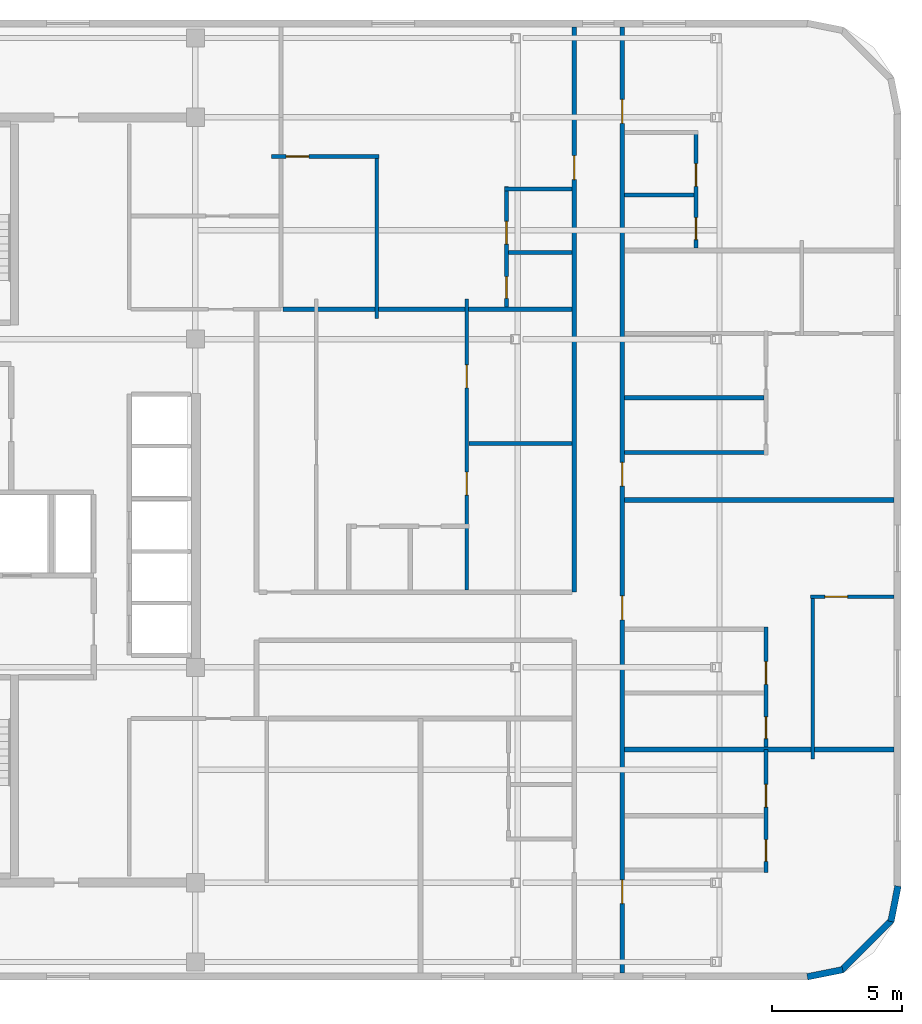
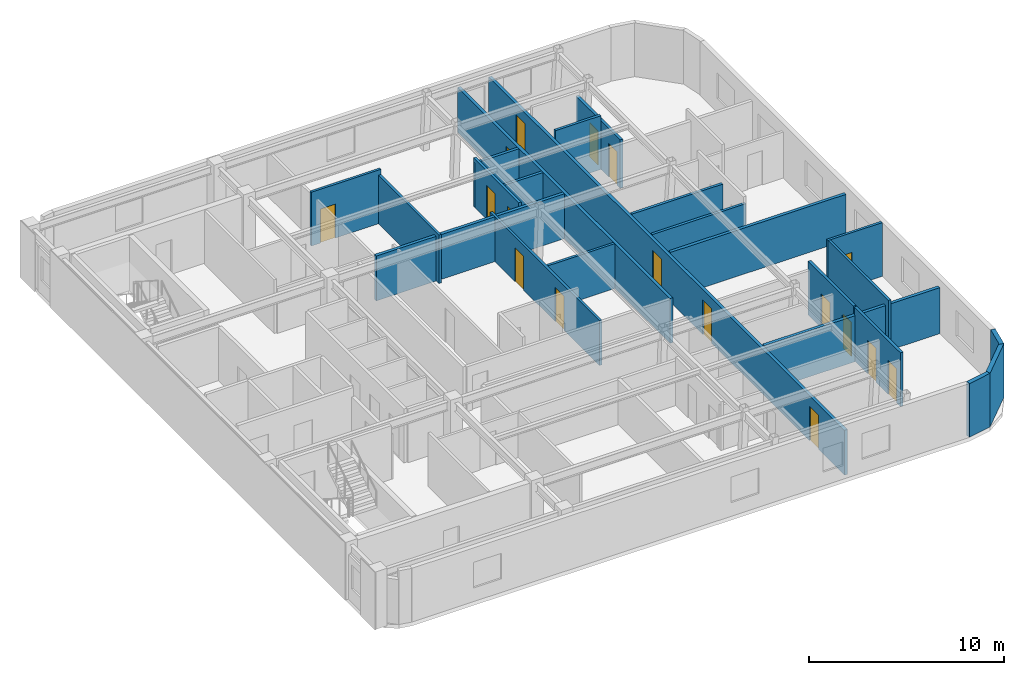
# One storey, part 4 of 7: 23 walls, 17 doors, 17 openings.
"""IFC4 building model written with IfcOpenShell, lengths in metres."""

from ifc_helpers import new_model, si_unit, direction, frame, frame_2d, origin, place, context, subcontext, project, spatial, rectangle, extrude, material, layer, layer_set, type_object, element, fill, save


model = new_model("IFC4")

# Units and contexts
model_context = context("Model", 3, precision=1e-05, world=origin(), true_north=direction((0.0, 1.0)))
body_context = subcontext(model_context, "Body", "Model", "MODEL_VIEW")
ifc_project = project(units=[si_unit("LENGTHUNIT", "METRE"), si_unit("AREAUNIT", "SQUARE_METRE"), si_unit("VOLUMEUNIT", "CUBIC_METRE"), si_unit("PLANEANGLEUNIT", "RADIAN"), si_unit("MASSUNIT", "GRAM", prefix="KILO")], contexts=[model_context])

# Site, building, storey
site_placement = place(None, origin())
site = spatial("IfcSite", under=ifc_project, at=site_placement, CompositionType="ELEMENT")
building_placement = place(site_placement, origin())
building = spatial("IfcBuilding", under=site, at=building_placement, Name="Ochreholt Gables", CompositionType="ELEMENT")
storey_placement = place(building_placement, frame((0.0, 0.0, 216.60009765625)))
storey = spatial("IfcBuildingStorey", under=building, at=storey_placement, Name="L56", CompositionType="ELEMENT", Elevation=216.60009765625)

# Walls
ifc_material_1 = material(Name="Precast concrete 40 MPa", Category="concrete")
ifc_layer_1 = layer(ifc_material_1, 0.25, Name="Precast concrete 40 MPa")
ifc_layer_set_1 = layer_set([ifc_layer_1], Name="Precast concrete 40 MPa")
wall_type_1 = type_object("IfcWallType", Name="WALL-EXT-CNR", PredefinedType="SOLIDWALL", material=ifc_layer_set_1)
wall_1_placement = place(storey_placement, frame((58.783447265625, 5.624267578125, 0.0), z_axis=(0.0, 0.0, 1.0), x_axis=(0.980809899341, 0.19496651342, 0.0)))
element("IfcWall", 1, at=wall_1_placement, inside=storey, type_object=wall_type_1, Name="L56 Rounded Corner Wall SE-1", PredefinedType="SOLIDWALL", context=body_context, shape_type="SweptSolid", body=[
    extrude(rectangle(XDim=1.388671875, YDim=0.25, at=frame_2d((0.6943359375, 0.0))), origin(), (0.0, 0.0, 1.0), 3.35986328125),
])
wall_2_placement = place(storey_placement, frame((60.094970703125, 5.867919921875, 0.0), z_axis=(0.0, 0.0, 1.0), x_axis=(0.707106781187, 0.707106781187, 0.0)))
element("IfcWall", 2, at=wall_2_placement, inside=storey, type_object=wall_type_1, Name="L56 Rounded Corner Wall SE-2", PredefinedType="SOLIDWALL", context=body_context, shape_type="SweptSolid", body=[
    extrude(rectangle(XDim=2.7392578125, YDim=0.25, at=frame_2d((1.36962890625, 0.0))), origin(), (0.0, 0.0, 1.0), 3.35986328125),
])
wall_3_placement = place(storey_placement, frame((62.0048828125, 7.75439453125, 0.0), z_axis=(0.0, 0.0, 1.0), x_axis=(0.195135625965, 0.9807762678, 0.0)))
element("IfcWall", 3, at=wall_3_placement, inside=storey, type_object=wall_type_1, Name="L56 Rounded Corner Wall SE-3", PredefinedType="SOLIDWALL", context=body_context, shape_type="SweptSolid", body=[
    extrude(rectangle(XDim=1.388671875, YDim=0.25, at=frame_2d((0.6943359375, 0.0))), origin(), (0.0, 0.0, 1.0), 3.35986328125),
])

# Wall, opening, door
ifc_material_2 = material(Name="Fire-Rated Gypsum Acoustic Partition", Category="gypsum")
ifc_layer_2 = layer(ifc_material_2, 0.179931640625, Name="Fire-Rated Gypsum Acoustic Partition")
ifc_layer_set_2 = layer_set([ifc_layer_2], Name="Fire-Rated Gypsum Acoustic Partition")
wall_type_2 = type_object("IfcWallType", Name="WALL-INT-CR180", PredefinedType="STANDARD", material=ifc_layer_set_2)
wall_4_placement = place(storey_placement, frame((49.800048828125, 20.449951171875, 0.0), z_axis=(0.0, 0.0, 1.0), x_axis=(0.0, 1.0, 0.0)))
wall_4 = element("IfcWall", 4, at=wall_4_placement, inside=storey, type_object=wall_type_2, Name="L56 Interior Wall WI-C3GW2-L56", PredefinedType="STANDARD", context=body_context, shape_type="SweptSolid", body=[
    extrude(rectangle(XDim=21.780029296875, YDim=0.179931640625, at=frame_2d((10.89013671875, 0.0))), origin(), (0.0, 0.0, 1.0), 2.802978515625),
])
opening_1_placement = place(wall_4_placement, frame((15.89990234375, 0.0, 0.0)))
opening_1 = element("IfcOpeningElement", 5, at=opening_1_placement, cuts=wall_4, Name="Opening D-UN1", PredefinedType="OPENING", context=body_context, shape_type="SweptSolid", body=[
    extrude(rectangle(XDim=0.919921875, YDim=2.14990234375, at=frame_2d((0.4599609375, 1.074951171875))), frame((0.0, 0.099853515625, 0.0), z_axis=(0.0, -1.0, 0.0), x_axis=(1.0, 0.0, 0.0)), (0.0, 0.0, 1.0), 0.199951171875),
])
ifc_material_3 = material(Name="Engineered Oak Timber", Category="wood")
door_type_1 = type_object("IfcDoorType", Name="DR-INT-UNT920", OperationType="NOTDEFINED", PredefinedType="DOOR", material=ifc_material_3)
door_1_placement = place(opening_1_placement, origin())
door_1 = element("IfcDoor", 6, at=door_1_placement, inside=storey, type_object=door_type_1, Name="L56 Door D-U-L56NM2-ENT", OperationType="SINGLE_SWING_LEFT", OverallHeight=2.14990234375, OverallWidth=0.919921875, PredefinedType="DOOR", context=body_context, shape_type="SweptSolid", body=[
    extrude(rectangle(XDim=0.919921875, YDim=2.14990234375, at=frame_2d((0.4599609375, 1.074951171875))), frame((0.0, 0.02490234375, 0.0), z_axis=(0.0, -1.0, 0.0), x_axis=(1.0, 0.0, 0.0)), (0.0, 0.0, 1.0), 0.050048828125),
])
fill(opening_1, door_1)

# Wall, openings, doors
wall_5_placement = place(storey_placement, frame((51.64990234375, 5.77001953125, 0.0), z_axis=(0.0, 0.0, 1.0), x_axis=(0.0, 1.0, 0.0)))
wall_5 = element("IfcWall", 7, at=wall_5_placement, inside=storey, type_object=wall_type_2, Name="L56 Interior Wall WI-C3GE-L56", PredefinedType="STANDARD", context=body_context, shape_type="SweptSolid", body=[
    extrude(rectangle(XDim=36.4599609375, YDim=0.179931640625, at=frame_2d((18.22998046875, 0.0))), origin(), (0.0, 0.0, 1.0), 2.802978515625),
])
opening_2_placement = place(wall_5_placement, frame((2.669921875, 0.0, 0.0)))
opening_2 = element("IfcOpeningElement", 8, at=opening_2_placement, cuts=wall_5, Name="Opening D-UN1", PredefinedType="OPENING", context=body_context, shape_type="SweptSolid", body=[
    extrude(rectangle(XDim=0.919921875, YDim=2.14990234375, at=frame_2d((0.4599609375, 1.074951171875))), frame((0.0, 0.099853515625, 0.0), z_axis=(0.0, -1.0, 0.0), x_axis=(1.0, 0.0, 0.0)), (0.0, 0.0, 1.0), 0.199951171875),
])
opening_3_placement = place(wall_5_placement, frame((13.610107421875, 0.0, 0.0)))
opening_3 = element("IfcOpeningElement", 9, at=opening_3_placement, cuts=wall_5, Name="Opening D-UN1", PredefinedType="OPENING", context=body_context, shape_type="SweptSolid", body=[
    extrude(rectangle(XDim=0.919921875, YDim=2.14990234375, at=frame_2d((0.4599609375, 1.074951171875))), frame((0.0, 0.099853515625, 0.0), z_axis=(0.0, -1.0, 0.0), x_axis=(1.0, 0.0, 0.0)), (0.0, 0.0, 1.0), 0.199951171875),
])
opening_4_placement = place(wall_5_placement, frame((18.760009765625, 0.0, 0.0)))
opening_4 = element("IfcOpeningElement", 10, at=opening_4_placement, cuts=wall_5, Name="Opening D-UN1", PredefinedType="OPENING", context=body_context, shape_type="SweptSolid", body=[
    extrude(rectangle(XDim=0.919921875, YDim=2.14990234375, at=frame_2d((0.4599609375, 1.074951171875))), frame((0.0, 0.099853515625, 0.0), z_axis=(0.0, -1.0, 0.0), x_axis=(1.0, 0.0, 0.0)), (0.0, 0.0, 1.0), 0.199951171875),
])
opening_5_placement = place(wall_5_placement, frame((32.75, 0.0, 0.0)))
opening_5 = element("IfcOpeningElement", 11, at=opening_5_placement, cuts=wall_5, Name="Opening D-UN1", PredefinedType="OPENING", context=body_context, shape_type="SweptSolid", body=[
    extrude(rectangle(XDim=0.919921875, YDim=2.14990234375, at=frame_2d((0.4599609375, 1.074951171875))), frame((0.0, 0.099853515625, 0.0), z_axis=(0.0, -1.0, 0.0), x_axis=(1.0, 0.0, 0.0)), (0.0, 0.0, 1.0), 0.199951171875),
])
door_2_placement = place(opening_2_placement, origin())
door_2 = element("IfcDoor", 12, at=door_2_placement, inside=storey, type_object=door_type_1, Name="L56 Door D-U-L56E1-ENT", OperationType="SINGLE_SWING_RIGHT", OverallHeight=2.14990234375, OverallWidth=0.919921875, PredefinedType="DOOR", context=body_context, shape_type="SweptSolid", body=[
    extrude(rectangle(XDim=0.919921875, YDim=2.14990234375, at=frame_2d((0.4599609375, 1.074951171875))), frame((0.0, 0.02490234375, 0.0), z_axis=(0.0, -1.0, 0.0), x_axis=(1.0, 0.0, 0.0)), (0.0, 0.0, 1.0), 0.050048828125),
])
fill(opening_2, door_2)
door_3_placement = place(opening_3_placement, origin())
door_3 = element("IfcDoor", 13, at=door_3_placement, inside=storey, type_object=door_type_1, Name="L56 Door D-U-L56E2-ENT", OperationType="SINGLE_SWING_LEFT", OverallHeight=2.14990234375, OverallWidth=0.919921875, PredefinedType="DOOR", context=body_context, shape_type="SweptSolid", body=[
    extrude(rectangle(XDim=0.919921875, YDim=2.14990234375, at=frame_2d((0.4599609375, 1.074951171875))), frame((0.0, 0.02490234375, 0.0), z_axis=(0.0, -1.0, 0.0), x_axis=(1.0, 0.0, 0.0)), (0.0, 0.0, 1.0), 0.050048828125),
])
fill(opening_3, door_3)
door_4_placement = place(opening_4_placement, origin())
door_4 = element("IfcDoor", 14, at=door_4_placement, inside=storey, type_object=door_type_1, Name="L56 Door D-U-L56E3-ENT", OperationType="SINGLE_SWING_RIGHT", OverallHeight=2.14990234375, OverallWidth=0.919921875, PredefinedType="DOOR", context=body_context, shape_type="SweptSolid", body=[
    extrude(rectangle(XDim=0.919921875, YDim=2.14990234375, at=frame_2d((0.4599609375, 1.074951171875))), frame((0.0, 0.02490234375, 0.0), z_axis=(0.0, -1.0, 0.0), x_axis=(1.0, 0.0, 0.0)), (0.0, 0.0, 1.0), 0.050048828125),
])
fill(opening_4, door_4)
door_5_placement = place(opening_5_placement, origin())
door_5 = element("IfcDoor", 15, at=door_5_placement, inside=storey, type_object=door_type_1, Name="L56 Door D-U-L56E4-ENT", OperationType="SINGLE_SWING_LEFT", OverallHeight=2.14990234375, OverallWidth=0.919921875, PredefinedType="DOOR", context=body_context, shape_type="SweptSolid", body=[
    extrude(rectangle(XDim=0.919921875, YDim=2.14990234375, at=frame_2d((0.4599609375, 1.074951171875))), frame((0.0, 0.02490234375, 0.0), z_axis=(0.0, -1.0, 0.0), x_axis=(1.0, 0.0, 0.0)), (0.0, 0.0, 1.0), 0.050048828125),
])
fill(opening_5, door_5)

# Walls
ifc_material_4 = material(Name="Double-Stud Acoustic Demising Wall", Category="gypsum")
ifc_layer_3 = layer(ifc_material_4, 0.18505859375, Name="Double-Stud Acoustic Demising Wall")
ifc_layer_set_3 = layer_set([ifc_layer_3], Name="Double-Stud Acoustic Demising Wall")
wall_type_3 = type_object("IfcWallType", Name="WALL-INT-DM185", PredefinedType="PARTITIONING", material=ifc_layer_set_3)
for number, where, z_axis, x_axis, name in (
    (16, (51.739990234375, 14.3798828125, 0.0), (0.0, 0.0, 1.0), (1.0, 0.0, 0.0), "L56 Interior Wall WI-C3UDE2-L56"),
    (17, (51.739990234375, 24.0, 0.0), (0.0, 0.0, 1.0), (1.0, 0.0, 0.0), "L56 Interior Wall WI-C3UDE3-L56"),
):
    element("IfcWall", number, at=place(storey_placement, frame(where, z_axis=z_axis, x_axis=x_axis)), inside=storey, type_object=wall_type_3, Name=name, PredefinedType="PARTITIONING", context=body_context, shape_type="SweptSolid", body=[
        extrude(rectangle(XDim=10.389892578125, YDim=0.18505859375, at=frame_2d((5.19482421875, 0.0))), origin(), (0.0, 0.0, 1.0), 2.87890625),
    ])
wall_6_placement = place(storey_placement, frame((38.572509765625, 31.35009765625, 0.0), z_axis=(0.0, 0.0, 1.0), x_axis=(1.0, 0.0, 0.0)))
element("IfcWall", 18, at=wall_6_placement, inside=storey, type_object=wall_type_3, Name="L56 Interior Wall WI-C3NMY-L56", PredefinedType="PARTITIONING", context=body_context, shape_type="SweptSolid", body=[
    extrude(rectangle(XDim=11.137451171875, YDim=0.18505859375, at=frame_2d((5.56884765625, 0.0))), origin(), (0.0, 0.0, 1.0), 2.802978515625),
])

# Wall, openings, doors
ifc_material_5 = material(Name="Moisture-Resistant Plumbing Chase Wall", Category="gypsum")
ifc_layer_4 = layer(ifc_material_5, 0.159912109375, Name="Moisture-Resistant Plumbing Chase Wall")
ifc_layer_set_4 = layer_set([ifc_layer_4], Name="Moisture-Resistant Plumbing Chase Wall")
wall_type_4 = type_object("IfcWallType", Name="WALL-INT-PL160", PredefinedType="PLUMBINGWALL", material=ifc_layer_set_4)
wall_7_placement = place(storey_placement, frame((57.18994140625, 9.64990234375, 0.0), z_axis=(0.0, 0.0, 1.0), x_axis=(0.0, 1.0, 0.0)))
wall_7 = element("IfcWall", 19, at=wall_7_placement, inside=storey, type_object=wall_type_4, Name="L56 Interior Wall WU-L56E1-WX", PredefinedType="PLUMBINGWALL", context=body_context, shape_type="SweptSolid", body=[
    extrude(rectangle(XDim=4.72998046875, YDim=0.159912109375, at=frame_2d((2.364990234375, 0.0))), origin(), (0.0, 0.0, 1.0), 3.35986328125),
])
opening_6_placement = place(wall_7_placement, frame((0.419921875, 0.0, 0.0)))
opening_6 = element("IfcOpeningElement", 20, at=opening_6_placement, cuts=wall_7, Name="Opening D-BT2", PredefinedType="OPENING", context=body_context, shape_type="SweptSolid", body=[
    extrude(rectangle(XDim=0.840087890625, YDim=2.1201171875, at=frame_2d((0.419921875, 1.06005859375))), frame((0.0, 0.08984375, 0.0), z_axis=(0.0, -1.0, 0.0), x_axis=(1.0, 0.0, 0.0)), (0.0, 0.0, 1.0), 0.179931640625),
])
opening_7_placement = place(wall_7_placement, frame((2.512939453125, 0.0, 0.0)))
opening_7 = element("IfcOpeningElement", 21, at=opening_7_placement, cuts=wall_7, Name="Opening D-GN2", PredefinedType="OPENING", context=body_context, shape_type="SweptSolid", body=[
    extrude(rectangle(XDim=0.8798828125, YDim=2.1201171875, at=frame_2d((0.43994140625, 1.06005859375))), frame((0.0, 0.08984375, 0.0), z_axis=(0.0, -1.0, 0.0), x_axis=(1.0, 0.0, 0.0)), (0.0, 0.0, 1.0), 0.179931640625),
])
door_type_2 = type_object("IfcDoorType", Name="DR-INT-BTH840", OperationType="NOTDEFINED", PredefinedType="DOOR", material=ifc_material_3)
door_6_placement = place(opening_6_placement, origin())
door_6 = element("IfcDoor", 22, at=door_6_placement, inside=storey, type_object=door_type_2, Name="L56 Door D-U-L56E1-BTH", OperationType="SINGLE_SWING_LEFT", OverallHeight=2.1201171875, OverallWidth=0.840087890625, PredefinedType="DOOR", context=body_context, shape_type="SweptSolid", body=[
    extrude(rectangle(XDim=0.840087890625, YDim=2.1201171875, at=frame_2d((0.419921875, 1.06005859375))), frame((0.0, 0.02490234375, 0.0), z_axis=(0.0, -1.0, 0.0), x_axis=(1.0, 0.0, 0.0)), (0.0, 0.0, 1.0), 0.050048828125),
])
fill(opening_6, door_6)
door_type_3 = type_object("IfcDoorType", Name="DR-INT-GEN880", OperationType="NOTDEFINED", PredefinedType="DOOR", material=ifc_material_3)
door_7_placement = place(opening_7_placement, origin())
door_7 = element("IfcDoor", 23, at=door_7_placement, inside=storey, type_object=door_type_3, Name="L56 Door D-U-L56E1-KIT", OperationType="SINGLE_SWING_RIGHT", OverallHeight=2.1201171875, OverallWidth=0.8798828125, PredefinedType="DOOR", context=body_context, shape_type="SweptSolid", body=[
    extrude(rectangle(XDim=0.8798828125, YDim=2.1201171875, at=frame_2d((0.43994140625, 1.06005859375))), frame((0.0, 0.02490234375, 0.0), z_axis=(0.0, -1.0, 0.0), x_axis=(1.0, 0.0, 0.0)), (0.0, 0.0, 1.0), 0.050048828125),
])
fill(opening_7, door_7)

wall_8_placement = place(storey_placement, frame((57.18994140625, 14.472412109375, 0.0), z_axis=(0.0, 0.0, 1.0), x_axis=(0.0, 1.0, 0.0)))
wall_8 = element("IfcWall", 24, at=wall_8_placement, inside=storey, type_object=wall_type_4, Name="L56 Interior Wall WU-L56E2-WX", PredefinedType="PLUMBINGWALL", context=body_context, shape_type="SweptSolid", body=[
    extrude(rectangle(XDim=4.6376953125, YDim=0.159912109375, at=frame_2d((2.31884765625, 0.0))), origin(), (0.0, 0.0, 1.0), 3.35986328125),
])
opening_8_placement = place(wall_8_placement, frame((0.327392578125, 0.0, 0.0)))
opening_8 = element("IfcOpeningElement", 25, at=opening_8_placement, cuts=wall_8, Name="Opening D-BT2", PredefinedType="OPENING", context=body_context, shape_type="SweptSolid", body=[
    extrude(rectangle(XDim=0.840087890625, YDim=2.1201171875, at=frame_2d((0.419921875, 1.06005859375))), frame((0.0, 0.08984375, 0.0), z_axis=(0.0, -1.0, 0.0), x_axis=(1.0, 0.0, 0.0)), (0.0, 0.0, 1.0), 0.179931640625),
])
opening_9_placement = place(wall_8_placement, frame((2.42041015625, 0.0, 0.0)))
opening_9 = element("IfcOpeningElement", 26, at=opening_9_placement, cuts=wall_8, Name="Opening D-GN2", PredefinedType="OPENING", context=body_context, shape_type="SweptSolid", body=[
    extrude(rectangle(XDim=0.8798828125, YDim=2.1201171875, at=frame_2d((0.43994140625, 1.06005859375))), frame((0.0, 0.08984375, 0.0), z_axis=(0.0, -1.0, 0.0), x_axis=(1.0, 0.0, 0.0)), (0.0, 0.0, 1.0), 0.179931640625),
])
door_8_placement = place(opening_8_placement, origin())
door_8 = element("IfcDoor", 27, at=door_8_placement, inside=storey, type_object=door_type_2, Name="L56 Door D-U-L56E2-BTH", OperationType="SINGLE_SWING_RIGHT", OverallHeight=2.1201171875, OverallWidth=0.840087890625, PredefinedType="DOOR", context=body_context, shape_type="SweptSolid", body=[
    extrude(rectangle(XDim=0.840087890625, YDim=2.1201171875, at=frame_2d((0.419921875, 1.06005859375))), frame((0.0, 0.02490234375, 0.0), z_axis=(0.0, -1.0, 0.0), x_axis=(1.0, 0.0, 0.0)), (0.0, 0.0, 1.0), 0.050048828125),
])
fill(opening_8, door_8)
door_9_placement = place(opening_9_placement, origin())
door_9 = element("IfcDoor", 28, at=door_9_placement, inside=storey, type_object=door_type_3, Name="L56 Door D-U-L56E2-KIT", OperationType="SINGLE_SWING_LEFT", OverallHeight=2.1201171875, OverallWidth=0.8798828125, PredefinedType="DOOR", context=body_context, shape_type="SweptSolid", body=[
    extrude(rectangle(XDim=0.8798828125, YDim=2.1201171875, at=frame_2d((0.43994140625, 1.06005859375))), frame((0.0, 0.02490234375, 0.0), z_axis=(0.0, -1.0, 0.0), x_axis=(1.0, 0.0, 0.0)), (0.0, 0.0, 1.0), 0.050048828125),
])
fill(opening_9, door_9)

# Walls
wall_9_placement = place(storey_placement, frame((51.739990234375, 25.830078125, 0.0), z_axis=(0.0, 0.0, 1.0), x_axis=(1.0, 0.0, 0.0)))
element("IfcWall", 29, at=wall_9_placement, inside=storey, type_object=wall_type_4, Name="L56 Interior Wall WU-L56E3-FYS", PredefinedType="PLUMBINGWALL", context=body_context, shape_type="SweptSolid", body=[
    extrude(rectangle(XDim=5.530029296875, YDim=0.159912109375, at=frame_2d((2.76513671875, 0.0))), origin(), (0.0, 0.0, 1.0), 2.87890625),
])
wall_10_placement = place(storey_placement, frame((51.739990234375, 27.93896484375, 0.0), z_axis=(0.0, 0.0, 1.0), x_axis=(1.0, 0.0, 0.0)))
element("IfcWall", 30, at=wall_10_placement, inside=storey, type_object=wall_type_4, Name="L56 Interior Wall WU-L56E3-WK", PredefinedType="PLUMBINGWALL", context=body_context, shape_type="SweptSolid", body=[
    extrude(rectangle(XDim=5.3701171875, YDim=0.159912109375, at=frame_2d((2.68505859375, 0.0))), origin(), (0.0, 0.0, 1.0), 2.87890625),
])

# Wall, openings, doors
wall_11_placement = place(storey_placement, frame((54.493896484375, 33.71240234375, 0.0), z_axis=(0.0, 0.0, 1.0), x_axis=(0.0, 1.0, 0.0)))
wall_11 = element("IfcWall", 31, at=wall_11_placement, inside=storey, type_object=wall_type_4, Name="L56 Interior Wall WU-L56E4-WX", PredefinedType="PLUMBINGWALL", context=body_context, shape_type="SweptSolid", body=[
    extrude(rectangle(XDim=4.53759765625, YDim=0.159912109375, at=frame_2d((2.268798828125, 0.0))), origin(), (0.0, 0.0, 1.0), 3.038818359375),
])
opening_10_placement = place(wall_11_placement, frame((0.327392578125, 0.0, 0.0)))
opening_10 = element("IfcOpeningElement", 32, at=opening_10_placement, cuts=wall_11, Name="Opening D-BT2", PredefinedType="OPENING", context=body_context, shape_type="SweptSolid", body=[
    extrude(rectangle(XDim=0.840087890625, YDim=2.1201171875, at=frame_2d((0.419921875, 1.06005859375))), frame((0.0, 0.08984375, 0.0), z_axis=(0.0, -1.0, 0.0), x_axis=(1.0, 0.0, 0.0)), (0.0, 0.0, 1.0), 0.179931640625),
])
opening_11_placement = place(wall_11_placement, frame((2.37451171875, 0.0, 0.0)))
opening_11 = element("IfcOpeningElement", 33, at=opening_11_placement, cuts=wall_11, Name="Opening D-GN2", PredefinedType="OPENING", context=body_context, shape_type="SweptSolid", body=[
    extrude(rectangle(XDim=0.8798828125, YDim=2.1201171875, at=frame_2d((0.43994140625, 1.06005859375))), frame((0.0, 0.08984375, 0.0), z_axis=(0.0, -1.0, 0.0), x_axis=(1.0, 0.0, 0.0)), (0.0, 0.0, 1.0), 0.179931640625),
])
door_10_placement = place(opening_10_placement, origin())
door_10 = element("IfcDoor", 34, at=door_10_placement, inside=storey, type_object=door_type_2, Name="L56 Door D-U-L56E4-BTH", OperationType="SINGLE_SWING_RIGHT", OverallHeight=2.1201171875, OverallWidth=0.840087890625, PredefinedType="DOOR", context=body_context, shape_type="SweptSolid", body=[
    extrude(rectangle(XDim=0.840087890625, YDim=2.1201171875, at=frame_2d((0.419921875, 1.06005859375))), frame((0.0, 0.02490234375, 0.0), z_axis=(0.0, -1.0, 0.0), x_axis=(1.0, 0.0, 0.0)), (0.0, 0.0, 1.0), 0.050048828125),
])
fill(opening_10, door_10)
door_11_placement = place(opening_11_placement, origin())
door_11 = element("IfcDoor", 35, at=door_11_placement, inside=storey, type_object=door_type_3, Name="L56 Door D-U-L56E4-KIT", OperationType="SINGLE_SWING_LEFT", OverallHeight=2.1201171875, OverallWidth=0.8798828125, PredefinedType="DOOR", context=body_context, shape_type="SweptSolid", body=[
    extrude(rectangle(XDim=0.8798828125, YDim=2.1201171875, at=frame_2d((0.43994140625, 1.06005859375))), frame((0.0, 0.02490234375, 0.0), z_axis=(0.0, -1.0, 0.0), x_axis=(1.0, 0.0, 0.0)), (0.0, 0.0, 1.0), 0.050048828125),
])
fill(opening_11, door_11)

# Walls
wall_12_placement = place(storey_placement, frame((51.739990234375, 35.757080078125, 0.0), z_axis=(0.0, 0.0, 1.0), x_axis=(1.0, 0.0, 0.0)))
element("IfcWall", 36, at=wall_12_placement, inside=storey, type_object=wall_type_4, Name="L56 Interior Wall WU-L56E4-WM", PredefinedType="PLUMBINGWALL", context=body_context, shape_type="SweptSolid", body=[
    extrude(rectangle(XDim=2.674072265625, YDim=0.159912109375, at=frame_2d((1.3369140625, 0.0))), origin(), (0.0, 0.0, 1.0), 3.35986328125),
])
wall_13_placement = place(storey_placement, frame((47.10400390625, 35.989990234375, 0.0), z_axis=(0.0, 0.0, 1.0), x_axis=(1.0, 0.0, 0.0)))
element("IfcWall", 37, at=wall_13_placement, inside=storey, type_object=wall_type_4, Name="L56 Interior Wall WU-L56NM2-WYN", PredefinedType="PLUMBINGWALL", context=body_context, shape_type="SweptSolid", body=[
    extrude(rectangle(XDim=2.60595703125, YDim=0.159912109375, at=frame_2d((1.302978515625, 0.0))), origin(), (0.0, 0.0, 1.0), 2.802978515625),
])

# Wall, openings, doors
wall_14_placement = place(storey_placement, frame((47.18408203125, 31.4423828125, 0.0), z_axis=(0.0, 0.0, 1.0), x_axis=(0.0, 1.0, 0.0)))
wall_14 = element("IfcWall", 38, at=wall_14_placement, inside=storey, type_object=wall_type_4, Name="L56 Interior Wall WU-L56NM2-WX", PredefinedType="PLUMBINGWALL", context=body_context, shape_type="SweptSolid", body=[
    extrude(rectangle(XDim=4.6376953125, YDim=0.159912109375, at=frame_2d((2.31884765625, 0.0))), origin(), (0.0, 0.0, 1.0), 3.038818359375),
])
opening_12_placement = place(wall_14_placement, frame((0.327392578125, 0.0, 0.0)))
opening_12 = element("IfcOpeningElement", 39, at=opening_12_placement, cuts=wall_14, Name="Opening D-BT2", PredefinedType="OPENING", context=body_context, shape_type="SweptSolid", body=[
    extrude(rectangle(XDim=0.840087890625, YDim=2.1201171875, at=frame_2d((0.419921875, 1.06005859375))), frame((0.0, 0.08984375, 0.0), z_axis=(0.0, -1.0, 0.0), x_axis=(1.0, 0.0, 0.0)), (0.0, 0.0, 1.0), 0.179931640625),
])
opening_13_placement = place(wall_14_placement, frame((2.42041015625, 0.0, 0.0)))
opening_13 = element("IfcOpeningElement", 40, at=opening_13_placement, cuts=wall_14, Name="Opening D-GN2", PredefinedType="OPENING", context=body_context, shape_type="SweptSolid", body=[
    extrude(rectangle(XDim=0.8798828125, YDim=2.1201171875, at=frame_2d((0.43994140625, 1.06005859375))), frame((0.0, 0.08984375, 0.0), z_axis=(0.0, -1.0, 0.0), x_axis=(1.0, 0.0, 0.0)), (0.0, 0.0, 1.0), 0.179931640625),
])
door_12_placement = place(opening_12_placement, origin())
door_12 = element("IfcDoor", 41, at=door_12_placement, inside=storey, type_object=door_type_2, Name="L56 Door D-U-L56NM2-BTH", OperationType="SINGLE_SWING_RIGHT", OverallHeight=2.1201171875, OverallWidth=0.840087890625, PredefinedType="DOOR", context=body_context, shape_type="SweptSolid", body=[
    extrude(rectangle(XDim=0.840087890625, YDim=2.1201171875, at=frame_2d((0.419921875, 1.06005859375))), frame((0.0, 0.02490234375, 0.0), z_axis=(0.0, -1.0, 0.0), x_axis=(1.0, 0.0, 0.0)), (0.0, 0.0, 1.0), 0.050048828125),
])
fill(opening_12, door_12)
door_13_placement = place(opening_13_placement, origin())
door_13 = element("IfcDoor", 42, at=door_13_placement, inside=storey, type_object=door_type_3, Name="L56 Door D-U-L56NM2-KIT", OperationType="SINGLE_SWING_LEFT", OverallHeight=2.1201171875, OverallWidth=0.8798828125, PredefinedType="DOOR", context=body_context, shape_type="SweptSolid", body=[
    extrude(rectangle(XDim=0.8798828125, YDim=2.1201171875, at=frame_2d((0.43994140625, 1.06005859375))), frame((0.0, 0.02490234375, 0.0), z_axis=(0.0, -1.0, 0.0), x_axis=(1.0, 0.0, 0.0)), (0.0, 0.0, 1.0), 0.050048828125),
])
fill(opening_13, door_13)

# Walls
wall_15_placement = place(storey_placement, frame((47.263916015625, 33.532958984375, 0.0), z_axis=(0.0, 0.0, 1.0), x_axis=(1.0, 0.0, 0.0)))
element("IfcWall", 43, at=wall_15_placement, inside=storey, type_object=wall_type_4, Name="L56 Interior Wall WU-L56NM2-WM", PredefinedType="PLUMBINGWALL", context=body_context, shape_type="SweptSolid", body=[
    extrude(rectangle(XDim=2.446044921875, YDim=0.159912109375, at=frame_2d((1.22314453125, 0.0))), origin(), (0.0, 0.0, 1.0), 2.802978515625),
])
ifc_material_6 = material(Name="Lightweight Stud Partition", Category="gypsum")
ifc_layer_5 = layer(ifc_material_6, 0.14501953125, Name="Lightweight Stud Partition")
ifc_layer_set_5 = layer_set([ifc_layer_5], Name="Lightweight Stud Partition")
wall_type_5 = type_object("IfcWallType", Name="WALL-INT-PT145", PredefinedType="PARTITIONING", material=ifc_layer_set_5)
wall_16_placement = place(storey_placement, frame((58.989990234375, 14.02001953125, 0.0), z_axis=(0.0, 0.0, 1.0), x_axis=(0.0, 1.0, 0.0)))
element("IfcWall", 44, at=wall_16_placement, inside=storey, type_object=wall_type_5, Name="L56 Interior Wall WU-L56E2-STW", PredefinedType="PARTITIONING", context=body_context, shape_type="SweptSolid", body=[
    extrude(rectangle(XDim=6.25, YDim=0.14501953125, at=frame_2d((3.125, 0.0))), origin(), (0.0, 0.0, 1.0), 3.35986328125),
])

# Wall, opening, door
wall_17_placement = place(storey_placement, frame((58.909912109375, 20.27001953125, 0.0), z_axis=(0.0, 0.0, 1.0), x_axis=(1.0, 0.0, 0.0)))
wall_17 = element("IfcWall", 45, at=wall_17_placement, inside=storey, type_object=wall_type_5, Name="L56 Interior Wall WU-L56E2-STN", PredefinedType="PARTITIONING", context=body_context, shape_type="SweptSolid", body=[
    extrude(rectangle(XDim=3.219970703125, YDim=0.14501953125, at=frame_2d((1.60986328125, 0.0))), origin(), (0.0, 0.0, 1.0), 3.35986328125),
])
opening_14_placement = place(wall_17_placement, frame((0.550048828125, 0.0, 0.0)))
opening_14 = element("IfcOpeningElement", 46, at=opening_14_placement, cuts=wall_17, Name="Opening D-GN2", PredefinedType="OPENING", context=body_context, shape_type="SweptSolid", body=[
    extrude(rectangle(XDim=0.8798828125, YDim=2.1201171875, at=frame_2d((0.43994140625, 1.06005859375))), frame((0.0, 0.08251953125, 0.0), z_axis=(0.0, -1.0, 0.0), x_axis=(1.0, 0.0, 0.0)), (0.0, 0.0, 1.0), 0.1650390625),
])
door_14_placement = place(opening_14_placement, origin())
door_14 = element("IfcDoor", 47, at=door_14_placement, inside=storey, type_object=door_type_3, Name="L56 Door D-U-L56E2-STD", OperationType="SINGLE_SWING_RIGHT", OverallHeight=2.1201171875, OverallWidth=0.8798828125, PredefinedType="DOOR", context=body_context, shape_type="SweptSolid", body=[
    extrude(rectangle(XDim=0.8798828125, YDim=2.1201171875, at=frame_2d((0.43994140625, 1.06005859375))), frame((0.0, 0.02490234375, 0.0), z_axis=(0.0, -1.0, 0.0), x_axis=(1.0, 0.0, 0.0)), (0.0, 0.0, 1.0), 0.050048828125),
])
fill(opening_14, door_14)

# Wall, openings, doors
wall_18_placement = place(storey_placement, frame((45.659912109375, 20.5400390625, 0.0), z_axis=(0.0, 0.0, 1.0), x_axis=(0.0, 1.0, 0.0)))
wall_18 = element("IfcWall", 48, at=wall_18_placement, inside=storey, type_object=wall_type_5, Name="L56 Interior Wall WU-L56NM1-MNX", PredefinedType="PARTITIONING", context=body_context, shape_type="SweptSolid", body=[
    extrude(rectangle(XDim=11.199951171875, YDim=0.14501953125, at=frame_2d((5.60009765625, 0.0))), origin(), (0.0, 0.0, 1.0), 2.802978515625),
])
opening_15_placement = place(wall_18_placement, frame((3.64990234375, 0.0, 0.0)))
opening_15 = element("IfcOpeningElement", 49, at=opening_15_placement, cuts=wall_18, Name="Opening D-BD2", PredefinedType="OPENING", context=body_context, shape_type="SweptSolid", body=[
    extrude(rectangle(XDim=0.8798828125, YDim=2.139892578125, at=frame_2d((0.43994140625, 1.06982421875))), frame((0.0, 0.08251953125, 0.0), z_axis=(0.0, -1.0, 0.0), x_axis=(1.0, 0.0, 0.0)), (0.0, 0.0, 1.0), 0.1650390625),
])
opening_16_placement = place(wall_18_placement, frame((7.784912109375, 0.0, 0.0)))
opening_16 = element("IfcOpeningElement", 50, at=opening_16_placement, cuts=wall_18, Name="Opening D-GN2", PredefinedType="OPENING", context=body_context, shape_type="SweptSolid", body=[
    extrude(rectangle(XDim=0.8798828125, YDim=2.1201171875, at=frame_2d((0.43994140625, 1.06005859375))), frame((0.0, 0.08251953125, 0.0), z_axis=(0.0, -1.0, 0.0), x_axis=(1.0, 0.0, 0.0)), (0.0, 0.0, 1.0), 0.1650390625),
])
door_type_4 = type_object("IfcDoorType", Name="DR-INT-BED880", OperationType="NOTDEFINED", PredefinedType="DOOR", material=ifc_material_3)
door_15_placement = place(opening_15_placement, origin())
door_15 = element("IfcDoor", 51, at=door_15_placement, inside=storey, type_object=door_type_4, Name="L56 Door D-U-L56NM1-BD1", OperationType="SINGLE_SWING_RIGHT", OverallHeight=2.139892578125, OverallWidth=0.8798828125, PredefinedType="DOOR", context=body_context, shape_type="SweptSolid", body=[
    extrude(rectangle(XDim=0.8798828125, YDim=2.139892578125, at=frame_2d((0.43994140625, 1.06982421875))), frame((0.0, 0.02490234375, 0.0), z_axis=(0.0, -1.0, 0.0), x_axis=(1.0, 0.0, 0.0)), (0.0, 0.0, 1.0), 0.050048828125),
])
fill(opening_15, door_15)
door_16_placement = place(opening_16_placement, origin())
door_16 = element("IfcDoor", 52, at=door_16_placement, inside=storey, type_object=door_type_3, Name="L56 Door D-U-L56NM1-BD2", OperationType="SINGLE_SWING_LEFT", OverallHeight=2.1201171875, OverallWidth=0.8798828125, PredefinedType="DOOR", context=body_context, shape_type="SweptSolid", body=[
    extrude(rectangle(XDim=0.8798828125, YDim=2.1201171875, at=frame_2d((0.43994140625, 1.06005859375))), frame((0.0, 0.02490234375, 0.0), z_axis=(0.0, -1.0, 0.0), x_axis=(1.0, 0.0, 0.0)), (0.0, 0.0, 1.0), 0.050048828125),
])
fill(opening_16, door_16)

# Walls
wall_19_placement = place(storey_placement, frame((45.739990234375, 26.179931640625, 0.0), z_axis=(0.0, 0.0, 1.0), x_axis=(1.0, 0.0, 0.0)))
element("IfcWall", 53, at=wall_19_placement, inside=storey, type_object=wall_type_5, Name="L56 Interior Wall WU-L56NM1-RDV", PredefinedType="PARTITIONING", context=body_context, shape_type="SweptSolid", body=[
    extrude(rectangle(XDim=3.969970703125, YDim=0.14501953125, at=frame_2d((1.98486328125, 0.0))), origin(), (0.0, 0.0, 1.0), 2.802978515625),
])
wall_20_placement = place(storey_placement, frame((42.18994140625, 30.989990234375, 0.0), z_axis=(0.0, 0.0, 1.0), x_axis=(0.0, 1.0, 0.0)))
element("IfcWall", 54, at=wall_20_placement, inside=storey, type_object=wall_type_5, Name="L56 Interior Wall WU-L56NM2-STW", PredefinedType="PARTITIONING", context=body_context, shape_type="SweptSolid", body=[
    extrude(rectangle(XDim=6.25, YDim=0.14501953125, at=frame_2d((3.125, 0.0))), origin(), (0.0, 0.0, 1.0), 3.038818359375),
])

# Wall, opening, door
wall_21_placement = place(storey_placement, frame((38.139892578125, 37.239990234375, 0.0), z_axis=(0.0, 0.0, 1.0), x_axis=(1.0, 0.0, 0.0)))
wall_21 = element("IfcWall", 55, at=wall_21_placement, inside=storey, type_object=wall_type_5, Name="L56 Interior Wall WU-L56NM2-STN", PredefinedType="PARTITIONING", context=body_context, shape_type="SweptSolid", body=[
    extrude(rectangle(XDim=4.130126953125, YDim=0.14501953125, at=frame_2d((2.06494140625, 0.0))), origin(), (0.0, 0.0, 1.0), 3.35986328125),
])
opening_17_placement = place(wall_21_placement, frame((0.550048828125, 0.0, 0.0)))
opening_17 = element("IfcOpeningElement", 56, at=opening_17_placement, cuts=wall_21, Name="Opening D-GN2", PredefinedType="OPENING", context=body_context, shape_type="SweptSolid", body=[
    extrude(rectangle(XDim=0.8798828125, YDim=2.1201171875, at=frame_2d((0.43994140625, 1.06005859375))), frame((0.0, 0.08251953125, 0.0), z_axis=(0.0, -1.0, 0.0), x_axis=(1.0, 0.0, 0.0)), (0.0, 0.0, 1.0), 0.1650390625),
])
door_17_placement = place(opening_17_placement, origin())
door_17 = element("IfcDoor", 57, at=door_17_placement, inside=storey, type_object=door_type_3, Name="L56 Door D-U-L56NM2-STD", OperationType="SINGLE_SWING_RIGHT", OverallHeight=2.1201171875, OverallWidth=0.8798828125, PredefinedType="DOOR", context=body_context, shape_type="SweptSolid", body=[
    extrude(rectangle(XDim=0.8798828125, YDim=2.1201171875, at=frame_2d((0.43994140625, 1.06005859375))), frame((0.0, 0.02490234375, 0.0), z_axis=(0.0, -1.0, 0.0), x_axis=(1.0, 0.0, 0.0)), (0.0, 0.0, 1.0), 0.050048828125),
])
fill(opening_17, door_17)

save(model, "model.ifc")
